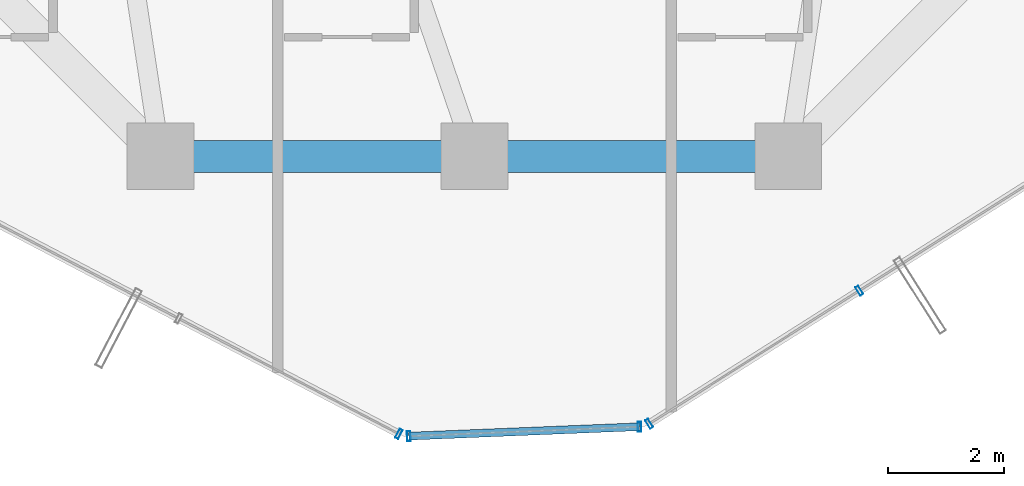
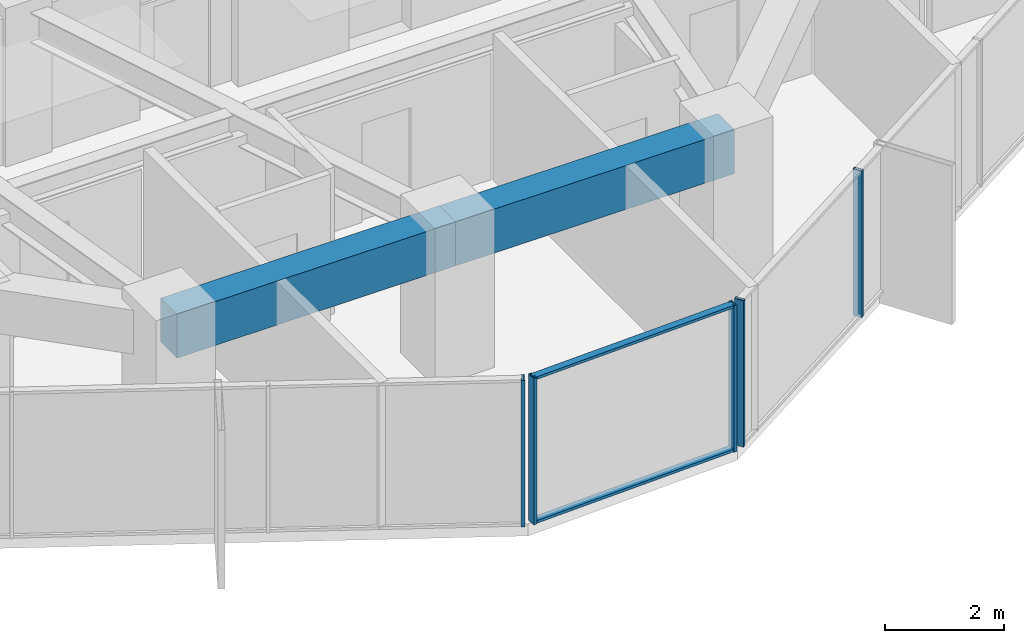
# One storey, part 6 of 32: 7 members, 2 beams, 3 elements without a shape of their own.
"""IFC4 building model written with IfcOpenShell, lengths in metres."""

from ifc_helpers import new_model, si_unit, direction, frame, origin, origin_2d, place, context, subcontext, project, spatial, rectangle, hollow_rectangle, extrude, source, transform, mapped, material, layer, layer_set, material_profile, profile_set, type_object, element, aggregate, save


model = new_model("IFC4")

# Units and contexts
model_context = context("Model", 3, precision=1e-05, world=origin(), true_north=direction((0.0, 1.0)))
body_context = subcontext(model_context, "Body", "Model", "MODEL_VIEW")
ifc_project = project(units=[si_unit("LENGTHUNIT", "METRE"), si_unit("AREAUNIT", "SQUARE_METRE"), si_unit("VOLUMEUNIT", "CUBIC_METRE"), si_unit("PLANEANGLEUNIT", "RADIAN"), si_unit("MASSUNIT", "GRAM", prefix="KILO")], contexts=[model_context])

# Site, building, storey
site_placement = place(None, origin())
site = spatial("IfcSite", under=ifc_project, at=site_placement, CompositionType="ELEMENT")
building_placement = place(site_placement, origin())
building = spatial("IfcBuilding", under=site, at=building_placement, Name="Veraguas Prism Commons", CompositionType="ELEMENT")
storey_placement = place(building_placement, frame((0.0, 0.0, 136.0)))
storey = spatial("IfcBuildingStorey", under=building, at=storey_placement, Name="L38", CompositionType="ELEMENT", Elevation=136.0)

# Beams
ifc_material_1 = material(Name="Concrete C50/60", Category="concrete")
ifc_material_profile_1 = material_profile(ifc_material_1, rectangle(XDim=0.550048828125, YDim=0.89990234375, at=origin_2d()), Name="RC550X900")
ifc_profile_set_1 = profile_set([ifc_material_profile_1], Name="Concrete C50/60")
beam_type = type_object("IfcBeamType", Name="Perimeter Spandrel Lower RC 550x900", PredefinedType="SPANDREL", material=ifc_profile_set_1)
for number, where, z_axis, x_axis, name in (
    (1, (18.60009765625, 7.800048828125, 2.550048828125), (1.0, 0.0, 0.0), (0.0, 1.0, 0.0), "Perimeter Spandrel Beam L38-SP10"),
    (2, (24.0, 7.800048828125, 2.550048828125), (1.0, 0.0, 0.0), (0.0, 1.0, 0.0), "Perimeter Spandrel Beam L38-SP11"),
):
    element("IfcBeam", number, at=place(storey_placement, frame(where, z_axis=z_axis, x_axis=x_axis)), inside=storey, type_object=beam_type, Name=name, PredefinedType="SPANDREL", context=body_context, shape_type="SweptSolid", body=[
        extrude(rectangle(XDim=0.550048828125, YDim=0.89990234375, at=origin_2d()), origin(), (0.0, 0.0, 1.0), 5.39990234375),
    ])

# Curtain wall, member
ifc_material_2 = material(Name="Anodised aluminium EN AW-6063 T6", Category="aluminium")
ifc_layer = layer(ifc_material_2, 0.169921875, Name="Unitised Flush Curtain Wall Zone 2", Category="aluminium")
ifc_layer_set = layer_set([ifc_layer], Name="Anodised aluminium EN AW-6063 T6")
curtain_wall_type = type_object("IfcCurtainWallType", Name="Unitised Flush Curtain Wall Zone 2", PredefinedType="NOTDEFINED", material=ifc_layer_set)
curtain_wall_1_placement = place(storey_placement, origin())
curtain_wall_1 = element("IfcCurtainWall", 3, at=curtain_wall_1_placement, inside=storey, type_object=curtain_wall_type, Name="Tower Facade Curtain Wall L38-F4", PredefinedType="NOTDEFINED")
ifc_material_profile_2 = material_profile(ifc_material_2, hollow_rectangle(XDim=0.06005859375, YDim=0.169921875, WallThickness=0.00390625, at=origin_2d()), Name="AL60X170X4")
ifc_profile_set_2 = profile_set([ifc_material_profile_2], Name="Anodised aluminium EN AW-6063 T6")
member_type_1 = type_object("IfcMemberType", Name="Curtain Wall Mullion Lower AL 60x170x4", PredefinedType="MULLION", material=ifc_profile_set_2)
shared_shape_1 = source(origin(), body_context, "Body", "SweptSolid", [
    extrude(hollow_rectangle(XDim=0.06005859375, YDim=0.169921875, WallThickness=0.00390625, at=origin_2d()), origin(), (0.0, 0.0, 1.0), 3.0),
])
member_1_placement = place(storey_placement, frame((22.700927734375, 3.0234375, 0.0), z_axis=(0.0, 0.0, 1.0), x_axis=(0.885721982014, -0.464216081773, 0.0)))
member_1 = element("IfcMember", 4, at=member_1_placement, type_object=member_type_1, Name="CW-Z2 Mullion 5", PredefinedType="MULLION", context=body_context, shape_type="MappedRepresentation", body=[
    mapped(shared_shape_1, transform((0.0, 0.0, 0.0), scale=1.0)),
])
aggregate(curtain_wall_1, [member_1])

# Curtain wall, members
curtain_wall_2_placement = place(storey_placement, origin())
curtain_wall_2 = element("IfcCurtainWall", 5, at=curtain_wall_2_placement, inside=storey, type_object=curtain_wall_type, Name="Tower Facade Curtain Wall L38-F5", PredefinedType="NOTDEFINED")
member_2_placement = place(storey_placement, frame((27.00634765625, 3.199462890625, 0.0), z_axis=(0.0, 0.0, 1.0), x_axis=(0.844887645301, 0.534943797813, 0.0)))
member_2 = element("IfcMember", 6, at=member_2_placement, type_object=member_type_1, Name="CW-Z2 Mullion 1", PredefinedType="MULLION", context=body_context, shape_type="MappedRepresentation", body=[
    mapped(shared_shape_1, transform((0.0, 0.0, 0.0), scale=1.0)),
])
member_3_placement = place(storey_placement, frame((30.621337890625, 5.488037109375, 0.0), z_axis=(0.0, 0.0, 1.0), x_axis=(0.844887645301, 0.534943797813, 0.0)))
member_3 = element("IfcMember", 7, at=member_3_placement, type_object=member_type_1, Name="CW-Z2 Mullion 2", PredefinedType="MULLION", context=body_context, shape_type="MappedRepresentation", body=[
    mapped(shared_shape_1, transform((0.0, 0.0, 0.0), scale=1.0)),
])
aggregate(curtain_wall_2, [member_2, member_3])

curtain_wall_3_placement = place(storey_placement, origin())
curtain_wall_3 = element("IfcCurtainWall", 8, at=curtain_wall_3_placement, inside=storey, type_object=curtain_wall_type, Name="Chamfer Curtain Wall L38-C5", PredefinedType="NOTDEFINED")
member_4_placement = place(storey_placement, frame((22.870361328125, 2.9853515625, 0.0), z_axis=(0.0, 0.0, 1.0), x_axis=(0.999166918026, 0.040810169358, 0.0)))
member_4 = element("IfcMember", 9, at=member_4_placement, type_object=member_type_1, Name="CW-Z2 Mullion 1", PredefinedType="MULLION", context=body_context, shape_type="MappedRepresentation", body=[
    mapped(shared_shape_1, transform((0.0, 0.0, 0.0), scale=1.0)),
])
member_5_placement = place(storey_placement, frame((26.84033203125, 3.1474609375, 0.0), z_axis=(0.0, 0.0, 1.0), x_axis=(0.999166918026, 0.040810169358, 0.0)))
member_5 = element("IfcMember", 10, at=member_5_placement, type_object=member_type_1, Name="CW-Z2 Mullion 2", PredefinedType="MULLION", context=body_context, shape_type="MappedRepresentation", body=[
    mapped(shared_shape_1, transform((0.0, 0.0, 0.0), scale=1.0)),
])
ifc_material_profile_3 = material_profile(ifc_material_2, hollow_rectangle(XDim=0.054931640625, YDim=0.135009765625, WallThickness=0.0029296875, at=origin_2d()), Name="AL55X135X3")
ifc_profile_set_3 = profile_set([ifc_material_profile_3], Name="Anodised aluminium EN AW-6063 T6")
member_type_2 = type_object("IfcMemberType", Name="Curtain Wall Transom Standard AL 55x135x3", PredefinedType="USERDEFINED", material=ifc_profile_set_3)
shared_shape_2 = source(origin(), body_context, "Body", "SweptSolid", [
    extrude(hollow_rectangle(XDim=0.054931640625, YDim=0.135009765625, WallThickness=0.0029296875, at=origin_2d()), origin(), (0.0, 0.0, 1.0), 3.973388671875),
])
member_6_placement = place(storey_placement, frame((22.870361328125, 2.9853515625, 0.027587890625), z_axis=(0.999167337572, 0.040799896202, 0.0), x_axis=(0.0, 0.0, 1.0)))
member_6 = element("IfcMember", 11, at=member_6_placement, type_object=member_type_2, Name="CW-Z2 Transom 1", ObjectType="TRANSOM", PredefinedType="USERDEFINED", context=body_context, shape_type="MappedRepresentation", body=[
    mapped(shared_shape_2, transform((0.0, 0.0, 0.0), scale=1.0)),
])
member_7_placement = place(storey_placement, frame((22.870361328125, 2.9853515625, 2.972412109375), z_axis=(0.999167337572, 0.040799896202, 0.0), x_axis=(0.0, 0.0, 1.0)))
member_7 = element("IfcMember", 12, at=member_7_placement, type_object=member_type_2, Name="CW-Z2 Transom 2", ObjectType="TRANSOM", PredefinedType="USERDEFINED", context=body_context, shape_type="MappedRepresentation", body=[
    mapped(shared_shape_2, transform((0.0, 0.0, 0.0), scale=1.0)),
])
aggregate(curtain_wall_3, [member_4, member_5, member_6, member_7])

save(model, "model.ifc")
